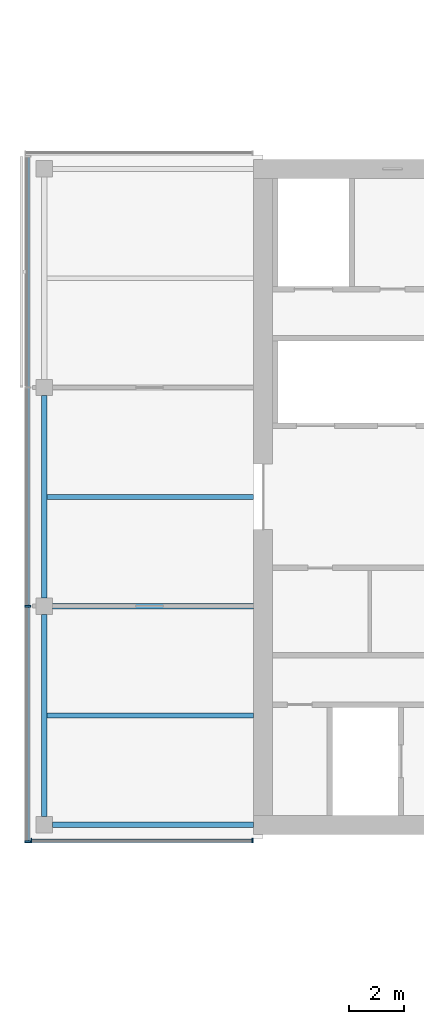
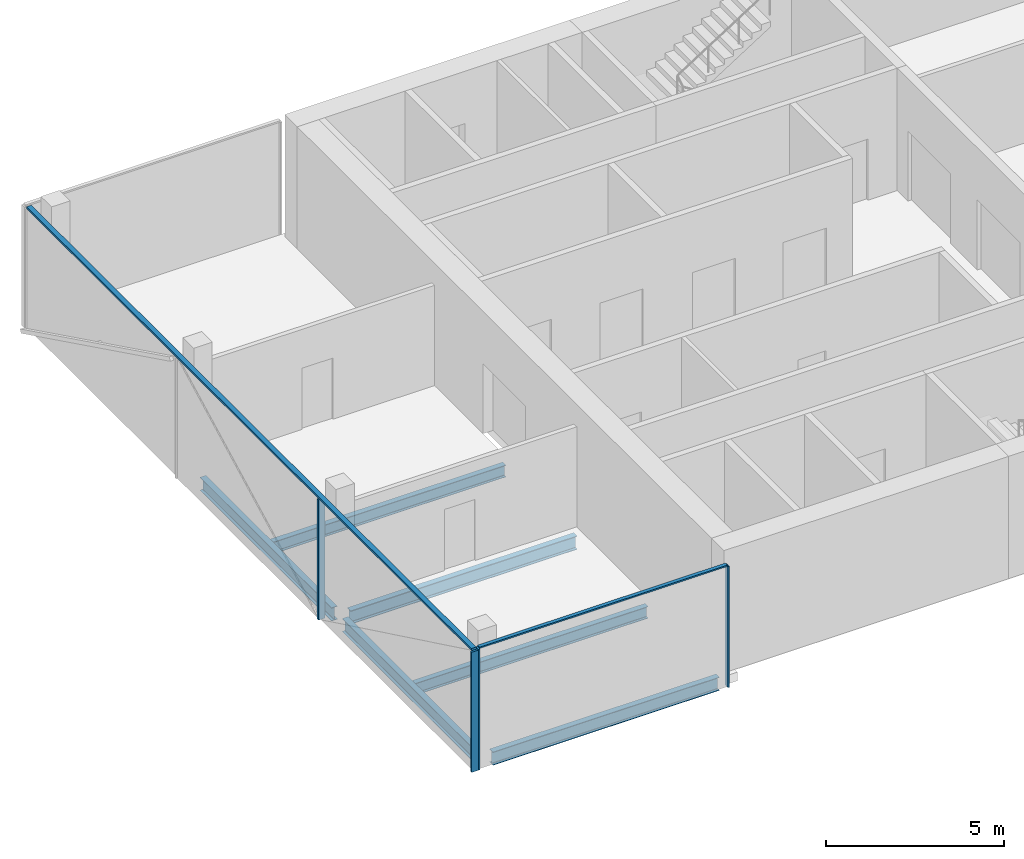
# One storey, part 3 of 22: 6 beams, 6 members, 2 elements without a shape of their own.
"""IFC4 building model written with IfcOpenShell, lengths in metres."""

from ifc_helpers import new_model, si_unit, direction, frame, origin, origin_2d, place, context, subcontext, project, spatial, rectangle, i_section, extrude, material, material_profile, profile_set, type_object, element, aggregate, save


model = new_model("IFC4")

# Units and contexts
model_context = context("Model", 3, precision=1e-05, world=origin(), true_north=direction((0.0, 1.0)))
body_context = subcontext(model_context, "Body", "Model", "MODEL_VIEW")
ifc_project = project(units=[si_unit("LENGTHUNIT", "METRE"), si_unit("AREAUNIT", "SQUARE_METRE"), si_unit("VOLUMEUNIT", "CUBIC_METRE"), si_unit("PLANEANGLEUNIT", "RADIAN"), si_unit("MASSUNIT", "GRAM", prefix="KILO")], contexts=[model_context])

# Site, building, storey
site_placement = place(None, origin())
site = spatial("IfcSite", under=ifc_project, at=site_placement, CompositionType="ELEMENT")
building_placement = place(site_placement, origin())
building = spatial("IfcBuilding", under=site, at=building_placement, Name="Crosswind Convention Tower", CompositionType="ELEMENT")
storey_placement = place(building_placement, frame((0.0, 0.0, 163.10009765625)))
storey = spatial("IfcBuildingStorey", under=building, at=storey_placement, Name="L34", CompositionType="ELEMENT", Elevation=163.10009765625)

# Beams
ifc_material_1 = material(Name="Steel S355", Category="steel")
ifc_material_profile_1 = material_profile(ifc_material_1, i_section(OverallWidth=0.18994140625, OverallDepth=0.45361328125, WebThickness=0.008544921875, FlangeThickness=0.0126953125, FilletRadius=0.01025390625, at=origin_2d()), Name="UB 457x191x67")
ifc_profile_set_1 = profile_set([ifc_material_profile_1], Name="Steel S355")
beam_type_1 = type_object("IfcBeamType", Name="Edge beam UB 457x191x67", PredefinedType="SPANDREL", material=ifc_profile_set_1)
for number, where, z_axis, x_axis, name in (
    (1, (89.0, 88.300048828125, -0.52685546875), (0.0, 1.0, 0.0), (-1.0, 0.0, 0.0), "B16 L34 edge beam 1"),
    (2, (89.0, 96.300048828125, -0.52685546875), (0.0, 1.0, 0.0), (-1.0, 0.0, 0.0), "B16 L34 edge beam 2"),
):
    element("IfcBeam", number, at=place(storey_placement, frame(where, z_axis=z_axis, x_axis=x_axis)), inside=storey, type_object=beam_type_1, Name=name, PredefinedType="SPANDREL", context=body_context, shape_type="SweptSolid", body=[
        extrude(i_section(OverallWidth=0.18994140625, OverallDepth=0.45361328125, WebThickness=0.008544921875, FlangeThickness=0.0126953125, FilletRadius=0.01025390625, at=origin_2d()), origin(), (0.0, 0.0, 1.0), 7.39990234375),
    ])
beam_1_placement = place(storey_placement, frame((89.300048828125, 88.0, -0.52685546875), z_axis=(1.0, 0.0, 0.0), x_axis=(0.0, 1.0, 0.0)))
element("IfcBeam", 3, at=beam_1_placement, inside=storey, type_object=beam_type_1, Name="B16 L34 edge beam 4", PredefinedType="SPANDREL", context=body_context, shape_type="SweptSolid", body=[
    extrude(i_section(OverallWidth=0.18994140625, OverallDepth=0.45361328125, WebThickness=0.008544921875, FlangeThickness=0.0126953125, FilletRadius=0.01025390625, at=origin_2d()), origin(), (0.0, 0.0, 1.0), 7.349853515625),
])
ifc_material_profile_2 = material_profile(ifc_material_1, i_section(OverallWidth=0.19189453125, OverallDepth=0.463623046875, WebThickness=0.010498046875, FlangeThickness=0.017578125, FilletRadius=0.01025390625, at=origin_2d()), Name="UB 457x191x90")
ifc_profile_set_2 = profile_set([ifc_material_profile_2], Name="Steel S355")
beam_type_2 = type_object("IfcBeamType", Name="Girder at core wall UB 457x191x90", PredefinedType="BEAM", material=ifc_profile_set_2)
beam_2_placement = place(storey_placement, frame((89.300048828125, 96.0, -0.531982421875), z_axis=(1.0, 0.0, 0.0), x_axis=(0.0, 1.0, 0.0)))
element("IfcBeam", 4, at=beam_2_placement, inside=storey, type_object=beam_type_2, Name="B24 L34 girder at core wall 1", PredefinedType="BEAM", context=body_context, shape_type="SweptSolid", body=[
    extrude(i_section(OverallWidth=0.19189453125, OverallDepth=0.463623046875, WebThickness=0.010498046875, FlangeThickness=0.017578125, FilletRadius=0.01025390625, at=origin_2d()), origin(), (0.0, 0.0, 1.0), 7.349853515625),
])

# Curtain wall, members
ifc_material_2 = material(Name="Aluminium unitised curtain wall", Category="aluminium")
curtain_wall_type_1 = type_object("IfcCurtainWallType", Name="CORE END SLOT WALL 160", PredefinedType="USERDEFINED", material=ifc_material_2)
curtain_wall_1_placement = place(storey_placement, origin())
curtain_wall_1 = element("IfcCurtainWall", 5, at=curtain_wall_1_placement, inside=storey, type_object=curtain_wall_type_1, Name="CW6 L34 W-S.1-1 slot", ObjectType="UNITISED", PredefinedType="USERDEFINED")
ifc_material_3 = material(Name="Aluminium mullion", Category="aluminium")
ifc_material_profile_3 = material_profile(ifc_material_3, rectangle(XDim=0.159912109375, YDim=0.050048828125, at=origin_2d()), Name="AL 160X50")
ifc_profile_set_3 = profile_set([ifc_material_profile_3], Name="Aluminium mullion")
member_type_1 = type_object("IfcMemberType", Name="MULLION 50X160", PredefinedType="MULLION", material=ifc_profile_set_3)
member_1_placement = place(storey_placement, frame((88.52490234375, 87.419921875, -0.300048828125), z_axis=(0.0, 0.0, 1.0), x_axis=(0.0, -1.0, 0.0)))
member_1 = element("IfcMember", 6, at=member_1_placement, type_object=member_type_1, Name="CW6 mullion 1", PredefinedType="MULLION", context=body_context, shape_type="SweptSolid", body=[
    extrude(rectangle(XDim=0.159912109375, YDim=0.050048828125, at=origin_2d()), origin(), (0.0, 0.0, 1.0), 4.14990234375),
])
member_2_placement = place(storey_placement, frame((96.625, 87.419921875, -0.300048828125), z_axis=(0.0, 0.0, 1.0), x_axis=(0.0, -1.0, 0.0)))
member_2 = element("IfcMember", 7, at=member_2_placement, type_object=member_type_1, Name="CW6 mullion 2", PredefinedType="MULLION", context=body_context, shape_type="SweptSolid", body=[
    extrude(rectangle(XDim=0.159912109375, YDim=0.050048828125, at=origin_2d()), origin(), (0.0, 0.0, 1.0), 4.14990234375),
])

curtain_wall_type_2 = type_object("IfcCurtainWallType", Name="OFFICE UNITISED WALL 220", PredefinedType="USERDEFINED", material=ifc_material_2)
curtain_wall_2_placement = place(storey_placement, origin())
curtain_wall_2 = element("IfcCurtainWall", 8, at=curtain_wall_2_placement, inside=storey, type_object=curtain_wall_type_2, Name="CW3 L34 W-TIP 1", ObjectType="UNITISED", PredefinedType="USERDEFINED")
ifc_material_profile_4 = material_profile(ifc_material_3, rectangle(XDim=0.219970703125, YDim=0.070068359375, at=origin_2d()), Name="AL 220X70")
ifc_profile_set_4 = profile_set([ifc_material_profile_4], Name="Aluminium mullion")
member_type_2 = type_object("IfcMemberType", Name="MULLION 70X220", PredefinedType="MULLION", material=ifc_profile_set_4)
member_3_placement = place(storey_placement, frame((88.389892578125, 96.0, -0.300048828125), z_axis=(0.0, 0.0, 1.0), x_axis=(-1.0, 0.0, 0.0)))
member_3 = element("IfcMember", 9, at=member_3_placement, type_object=member_type_2, Name="CW3 mullion 3", PredefinedType="MULLION", context=body_context, shape_type="SweptSolid", body=[
    extrude(rectangle(XDim=0.219970703125, YDim=0.070068359375, at=origin_2d()), origin(), (0.0, 0.0, 1.0), 4.1298828125),
])
member_4_placement = place(storey_placement, frame((88.389892578125, 87.375, -0.300048828125), z_axis=(0.0, 0.0, 1.0), x_axis=(-1.0, 0.0, 0.0)))
member_4 = element("IfcMember", 10, at=member_4_placement, type_object=member_type_2, Name="CW3 mullion 4", PredefinedType="MULLION", context=body_context, shape_type="SweptSolid", body=[
    extrude(rectangle(XDim=0.219970703125, YDim=0.070068359375, at=origin_2d()), origin(), (0.0, 0.0, 1.0), 4.1298828125),
])

# Beams
ifc_material_profile_5 = material_profile(ifc_material_1, i_section(OverallWidth=0.177734375, OverallDepth=0.406494140625, WebThickness=0.0078125, FlangeThickness=0.0126953125, FilletRadius=0.01025390625, at=origin_2d()), Name="UB 406x178x60")
ifc_profile_set_5 = profile_set([ifc_material_profile_5], Name="Steel S355")
beam_type_3 = type_object("IfcBeamType", Name="Secondary beam UB 406x178x60", PredefinedType="JOIST", material=ifc_profile_set_5)
for number, where, z_axis, x_axis, name in (
    (11, (89.094970703125, 92.0, -0.50341796875), (1.0, 0.0, 0.0), (0.0, 1.0, 0.0), "B10 L34 secondary beam 1"),
    (12, (89.094970703125, 100.0, -0.50341796875), (1.0, 0.0, 0.0), (0.0, 1.0, 0.0), "B10 L34 secondary beam 2"),
):
    element("IfcBeam", number, at=place(storey_placement, frame(where, z_axis=z_axis, x_axis=x_axis)), inside=storey, type_object=beam_type_3, Name=name, PredefinedType="JOIST", context=body_context, shape_type="SweptSolid", body=[
        extrude(i_section(OverallWidth=0.177734375, OverallDepth=0.406494140625, WebThickness=0.0078125, FlangeThickness=0.0126953125, FilletRadius=0.01025390625, at=origin_2d()), origin(), (0.0, 0.0, 1.0), 7.554931640625),
    ])

# Member
ifc_material_4 = material(Name="Aluminium transom", Category="aluminium")
ifc_material_profile_6 = material_profile(ifc_material_4, rectangle(XDim=0.1201171875, YDim=0.050048828125, at=origin_2d()), Name="AL 120X50")
ifc_profile_set_6 = profile_set([ifc_material_profile_6], Name="Aluminium transom")
member_type_3 = type_object("IfcMemberType", Name="TRANSOM 50X120", PredefinedType="USERDEFINED", material=ifc_profile_set_6)
member_5_placement = place(storey_placement, frame((88.550048828125, 87.419921875, 3.875), z_axis=(1.0, 0.0, 0.0), x_axis=(0.0, 1.0, 0.0)))
member_5 = element("IfcMember", 13, at=member_5_placement, type_object=member_type_3, Name="CW6 transom", ObjectType="TRANSOM", PredefinedType="USERDEFINED", context=body_context, shape_type="SweptSolid", body=[
    extrude(rectangle(XDim=0.1201171875, YDim=0.050048828125, at=origin_2d()), origin(), (0.0, 0.0, 1.0), 8.050048828125),
])

aggregate(curtain_wall_1, [member_1, member_2, member_5])

ifc_material_profile_7 = material_profile(ifc_material_4, rectangle(XDim=0.159912109375, YDim=0.070068359375, at=origin_2d()), Name="AL 160X70")
ifc_profile_set_7 = profile_set([ifc_material_profile_7], Name="Aluminium transom")
member_type_4 = type_object("IfcMemberType", Name="TRANSOM 70X160", PredefinedType="USERDEFINED", material=ifc_profile_set_7)
member_6_placement = place(storey_placement, frame((88.389892578125, 112.429931640625, 3.864990234375), z_axis=(0.0, -1.0, 0.0), x_axis=(1.0, 0.0, 0.0)))
member_6 = element("IfcMember", 14, at=member_6_placement, type_object=member_type_4, Name="CW3 transom", ObjectType="TRANSOM", PredefinedType="USERDEFINED", context=body_context, shape_type="SweptSolid", body=[
    extrude(rectangle(XDim=0.159912109375, YDim=0.070068359375, at=origin_2d()), origin(), (0.0, 0.0, 1.0), 25.02001953125),
])

aggregate(curtain_wall_2, [member_3, member_4, member_6])

save(model, "model.ifc")
